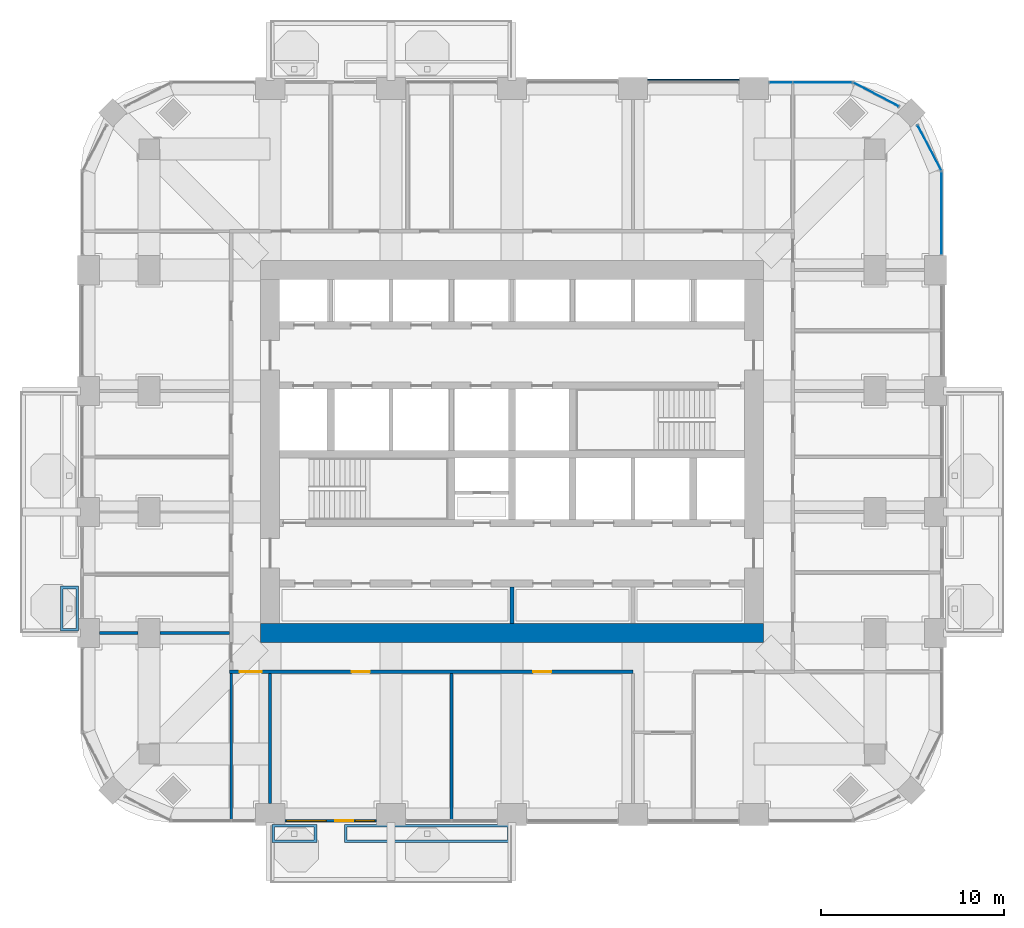
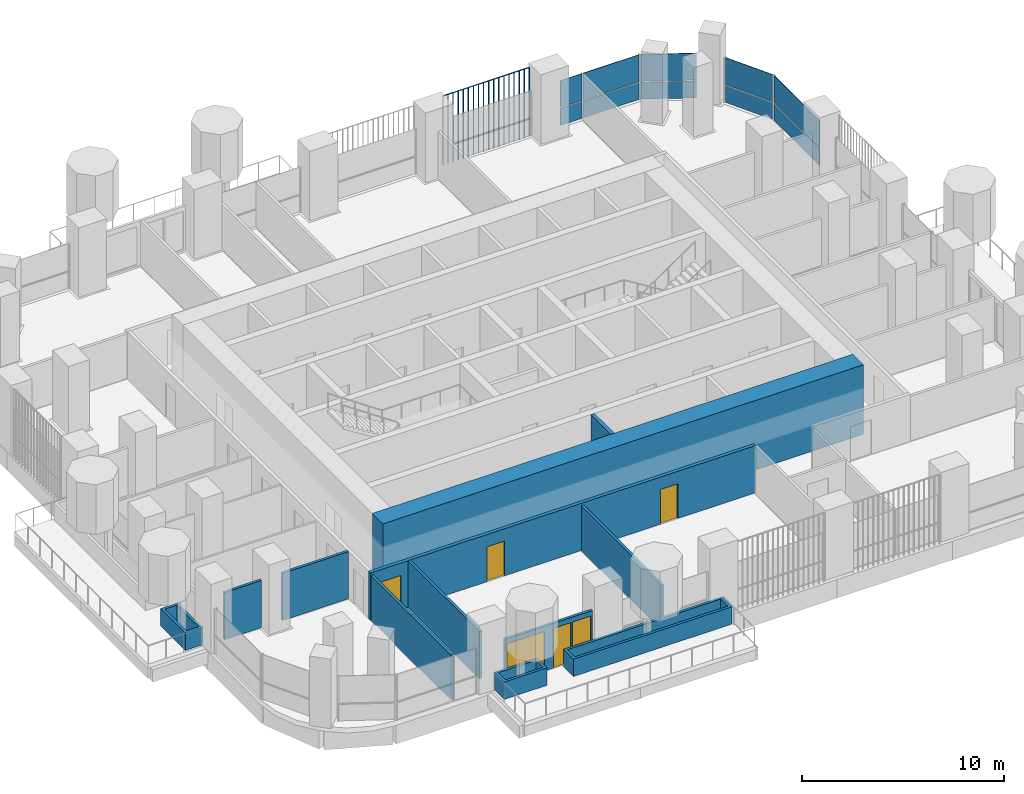
# One storey, part 11 of 20: 12 walls, 11 plates, 4 doors, 2 windows, 6 openings, 4 elements without a shape of their own.
"""IFC4 building model written with IfcOpenShell, lengths in metres."""

from ifc_helpers import new_model, si_unit, direction, frame, frame_2d, origin, origin_2d, place, context, subcontext, project, spatial, polyline, rectangle, outline, extrude, material, layer, layer_set, type_object, element, fill, aggregate, save


model = new_model("IFC4")

# Units and contexts
model_context = context("Model", 3, precision=1e-05, world=origin(), true_north=direction((0.0, 1.0)))
body_context = subcontext(model_context, "Body", "Model", "MODEL_VIEW")
ifc_project = project(units=[si_unit("LENGTHUNIT", "METRE"), si_unit("AREAUNIT", "SQUARE_METRE"), si_unit("VOLUMEUNIT", "CUBIC_METRE"), si_unit("PLANEANGLEUNIT", "RADIAN"), si_unit("MASSUNIT", "GRAM", prefix="KILO")], contexts=[model_context])

# Site, building, storey
site_placement = place(None, origin())
site = spatial("IfcSite", under=ifc_project, at=site_placement, CompositionType="ELEMENT")
building_placement = place(site_placement, origin())
building = spatial("IfcBuilding", under=site, at=building_placement, Name="Cobogo Forest Laboratory Tower", CompositionType="ELEMENT")
storey_placement = place(building_placement, frame((0.0, 0.0, 176.699951171875)))
storey = spatial("IfcBuildingStorey", under=building, at=storey_placement, Name="L40", CompositionType="ELEMENT", Elevation=176.699951171875)

# Curtain wall, plates
ifc_material_1 = material(Name="Aluminium curtain wall", Category="aluminium")
curtain_wall_type = type_object("IfcCurtainWallType", Name="CW-2 unitised curtain wall, solar control glazing, laboratory floors zones C and D", PredefinedType="USERDEFINED", material=ifc_material_1)
curtain_wall_1_placement = place(storey_placement, origin())
curtain_wall_1 = element("IfcCurtainWall", 1, at=curtain_wall_1_placement, inside=storey, type_object=curtain_wall_type, Name="Curtain wall 13 L40", ObjectType="UNITISED CURTAIN WALL", PredefinedType="USERDEFINED")
ifc_material_2 = material(Name="Solar control insulated glass", Category="glass")
ifc_layer_1 = layer(ifc_material_2, 0.031982421875)
ifc_layer_set_1 = layer_set([ifc_layer_1], Name="GP-2 solar control glass unit 32")
plate_type_1 = type_object("IfcPlateType", Name="GP-2 solar control glass unit 32", PredefinedType="CURTAIN_PANEL", material=ifc_layer_set_1)
plate_1_placement = place(storey_placement, frame((49.85009765625, 36.10009765625, 0.0), z_axis=(0.0, 0.0, 1.0), x_axis=(0.0, 1.0, 0.0)))
plate_1 = element("IfcPlate", 2, at=plate_1_placement, type_object=plate_type_1, Name="CW-2 panel 1.1", PredefinedType="CURTAIN_PANEL", context=body_context, shape_type="SweptSolid", body=[
    extrude(rectangle(XDim=4.47998046875, YDim=0.031982421875, at=origin_2d()), origin(), (0.0, 0.0, 1.0), 1.02001953125),
])
plate_2_placement = place(storey_placement, frame((49.85009765625, 36.10009765625, 1.080078125), z_axis=(0.0, 0.0, 1.0), x_axis=(0.0, 1.0, 0.0)))
plate_2 = element("IfcPlate", 3, at=plate_2_placement, type_object=plate_type_1, Name="CW-2 panel 1.2", PredefinedType="CURTAIN_PANEL", context=body_context, shape_type="SweptSolid", body=[
    extrude(rectangle(XDim=4.47998046875, YDim=0.031982421875, at=origin_2d()), origin(), (0.0, 0.0, 1.0), 1.6201171875),
])
aggregate(curtain_wall_1, [plate_1, plate_2])

curtain_wall_2_placement = place(storey_placement, origin())
curtain_wall_2 = element("IfcCurtainWall", 4, at=curtain_wall_2_placement, inside=storey, type_object=curtain_wall_type, Name="Curtain wall 14 L40", ObjectType="UNITISED CURTAIN WALL", PredefinedType="USERDEFINED")
plate_3_placement = place(storey_placement, frame((49.181396484375, 39.675537109375, 0.0), z_axis=(0.0, 0.0, 1.0), x_axis=(-0.464283804832, 0.885686484356, 0.0)))
plate_3 = element("IfcPlate", 5, at=plate_3_placement, type_object=plate_type_1, Name="CW-2 panel 1.1", PredefinedType="CURTAIN_PANEL", context=body_context, shape_type="SweptSolid", body=[
    extrude(rectangle(XDim=2.76025390625, YDim=0.031982421875, at=origin_2d()), origin(), (0.0, 0.0, 1.0), 1.02001953125),
])
plate_4_placement = place(storey_placement, frame((49.181396484375, 39.675537109375, 1.080078125), z_axis=(0.0, 0.0, 1.0), x_axis=(-0.464283804832, 0.885686484356, 0.0)))
plate_4 = element("IfcPlate", 6, at=plate_4_placement, type_object=plate_type_1, Name="CW-2 panel 1.2", PredefinedType="CURTAIN_PANEL", context=body_context, shape_type="SweptSolid", body=[
    extrude(rectangle(XDim=2.76025390625, YDim=0.031982421875, at=origin_2d()), origin(), (0.0, 0.0, 1.0), 1.6201171875),
])
aggregate(curtain_wall_2, [plate_3, plate_4])

curtain_wall_3_placement = place(storey_placement, origin())
curtain_wall_3 = element("IfcCurtainWall", 7, at=curtain_wall_3_placement, inside=storey, type_object=curtain_wall_type, Name="Curtain wall 15 L40", ObjectType="UNITISED CURTAIN WALL", PredefinedType="USERDEFINED")
plate_5_placement = place(storey_placement, frame((46.275634765625, 42.581298828125, 0.0), z_axis=(0.0, 0.0, 1.0), x_axis=(-0.885686484356, 0.464283804832, 0.0)))
plate_5 = element("IfcPlate", 8, at=plate_5_placement, type_object=plate_type_1, Name="CW-2 panel 1.1", PredefinedType="CURTAIN_PANEL", context=body_context, shape_type="SweptSolid", body=[
    extrude(rectangle(XDim=2.76025390625, YDim=0.031982421875, at=origin_2d()), origin(), (0.0, 0.0, 1.0), 1.02001953125),
])
plate_6_placement = place(storey_placement, frame((46.275634765625, 42.581298828125, 1.080078125), z_axis=(0.0, 0.0, 1.0), x_axis=(-0.885686484356, 0.464283804832, 0.0)))
plate_6 = element("IfcPlate", 9, at=plate_6_placement, type_object=plate_type_1, Name="CW-2 panel 1.2", PredefinedType="CURTAIN_PANEL", context=body_context, shape_type="SweptSolid", body=[
    extrude(rectangle(XDim=2.76025390625, YDim=0.031982421875, at=origin_2d()), origin(), (0.0, 0.0, 1.0), 1.6201171875),
])
aggregate(curtain_wall_3, [plate_5, plate_6])

curtain_wall_4_placement = place(storey_placement, origin())
curtain_wall_4 = element("IfcCurtainWall", 10, at=curtain_wall_4_placement, inside=storey, type_object=curtain_wall_type, Name="Curtain wall 16 L40", ObjectType="UNITISED CURTAIN WALL", PredefinedType="USERDEFINED")
plate_7_placement = place(storey_placement, frame((43.347412109375, 43.25, 0.0), z_axis=(0.0, 0.0, 1.0), x_axis=(-1.0, 0.0, 0.0)))
plate_7 = element("IfcPlate", 11, at=plate_7_placement, type_object=plate_type_1, Name="CW-2 panel 1.1", PredefinedType="CURTAIN_PANEL", context=body_context, shape_type="SweptSolid", body=[
    extrude(rectangle(XDim=3.18505859375, YDim=0.031982421875, at=origin_2d()), origin(), (0.0, 0.0, 1.0), 1.02001953125),
])
plate_8_placement = place(storey_placement, frame((43.347412109375, 43.25, 1.080078125), z_axis=(0.0, 0.0, 1.0), x_axis=(-1.0, 0.0, 0.0)))
plate_8 = element("IfcPlate", 12, at=plate_8_placement, type_object=plate_type_1, Name="CW-2 panel 1.2", PredefinedType="CURTAIN_PANEL", context=body_context, shape_type="SweptSolid", body=[
    extrude(rectangle(XDim=3.18505859375, YDim=0.031982421875, at=origin_2d()), origin(), (0.0, 0.0, 1.0), 1.6201171875),
])
plate_9_placement = place(storey_placement, frame((41.077392578125, 43.25, 0.0), z_axis=(0.0, 0.0, 1.0), x_axis=(-1.0, 0.0, 0.0)))
plate_9 = element("IfcPlate", 13, at=plate_9_placement, type_object=plate_type_1, Name="CW-2 panel 2.1", PredefinedType="CURTAIN_PANEL", context=body_context, shape_type="SweptSolid", body=[
    extrude(rectangle(XDim=1.235107421875, YDim=0.031982421875, at=origin_2d()), origin(), (0.0, 0.0, 1.0), 1.02001953125),
])
plate_10_placement = place(storey_placement, frame((41.077392578125, 43.25, 1.080078125), z_axis=(0.0, 0.0, 1.0), x_axis=(-1.0, 0.0, 0.0)))
plate_10 = element("IfcPlate", 14, at=plate_10_placement, type_object=plate_type_1, Name="CW-2 panel 2.2", PredefinedType="CURTAIN_PANEL", context=body_context, shape_type="SweptSolid", body=[
    extrude(rectangle(XDim=1.235107421875, YDim=0.031982421875, at=origin_2d()), origin(), (0.0, 0.0, 1.0), 1.6201171875),
])
aggregate(curtain_wall_4, [plate_7, plate_8, plate_9, plate_10])

# Plate
ifc_material_3 = material(Name="Terracotta", Category="masonry")
plate_type_2 = type_object("IfcPlateType", Name="TB1 terracotta baguette screen", PredefinedType="USERDEFINED", material=ifc_material_3)
plate_11_placement = place(storey_placement, frame((33.831298828125, 43.3779296875, -0.14990234375)))
element("IfcPlate", 15, at=plate_11_placement, inside=storey, type_object=plate_type_2, Name="Baguette screen N4 L40", ObjectType="BAGUETTE SCREEN", PredefinedType="USERDEFINED", context=body_context, shape_type="SweptSolid", body=[
    extrude(outline(polyline([(0.02880859375, 0.011962890625), (0.011962890625, 0.02880859375), (-0.011962890625, 0.02880859375), (-0.02880859375, 0.011962890625), (-0.02880859375, -0.011962890625), (-0.011962890625, -0.02880859375), (0.011962890625, -0.02880859375), (0.02880859375, -0.011962890625), (0.02880859375, 0.011962890625)])), frame((0.0, 0.0, 4.168701171875), z_axis=(1.0, 0.0, 0.0), x_axis=(0.0, 1.0, 0.0)), (0.0, 0.0, 1.0), 4.9375),
    extrude(outline(polyline([(0.02880859375, 0.011962890625), (0.011962890625, 0.02880859375), (-0.011962890625, 0.02880859375), (-0.02880859375, 0.011962890625), (-0.02880859375, -0.011962890625), (-0.011962890625, -0.02880859375), (0.011962890625, -0.02880859375), (0.02880859375, -0.011962890625), (0.02880859375, 0.011962890625)])), origin(), (0.0, 0.0, 1.0), 4.137451171875),
    extrude(outline(polyline([(0.02880859375, 0.011962890625), (0.011962890625, 0.02880859375), (-0.011962890625, 0.02880859375), (-0.02880859375, 0.011962890625), (-0.02880859375, -0.011962890625), (-0.011962890625, -0.02880859375), (0.011962890625, -0.02880859375), (0.02880859375, -0.011962890625), (0.02880859375, 0.011962890625)])), frame((0.29052734375, 0.0, 0.0)), (0.0, 0.0, 1.0), 4.137451171875),
    extrude(outline(polyline([(0.02880859375, 0.011962890625), (0.011962890625, 0.02880859375), (-0.011962890625, 0.02880859375), (-0.02880859375, 0.011962890625), (-0.02880859375, -0.011962890625), (-0.011962890625, -0.02880859375), (0.011962890625, -0.02880859375), (0.02880859375, -0.011962890625), (0.02880859375, 0.011962890625)])), frame((0.580810546875, 0.0, 0.0)), (0.0, 0.0, 1.0), 4.137451171875),
    extrude(outline(polyline([(0.02880859375, 0.011962890625), (0.011962890625, 0.02880859375), (-0.011962890625, 0.02880859375), (-0.02880859375, 0.011962890625), (-0.02880859375, -0.011962890625), (-0.011962890625, -0.02880859375), (0.011962890625, -0.02880859375), (0.02880859375, -0.011962890625), (0.02880859375, 0.011962890625)])), frame((0.871337890625, 0.0, 0.0)), (0.0, 0.0, 1.0), 4.137451171875),
    extrude(outline(polyline([(0.02880859375, 0.011962890625), (0.011962890625, 0.02880859375), (-0.011962890625, 0.02880859375), (-0.02880859375, 0.011962890625), (-0.02880859375, -0.011962890625), (-0.011962890625, -0.02880859375), (0.011962890625, -0.02880859375), (0.02880859375, -0.011962890625), (0.02880859375, 0.011962890625)])), frame((1.161865234375, 0.0, 0.0)), (0.0, 0.0, 1.0), 4.137451171875),
    extrude(outline(polyline([(0.02880859375, 0.011962890625), (0.011962890625, 0.02880859375), (-0.011962890625, 0.02880859375), (-0.02880859375, 0.011962890625), (-0.02880859375, -0.011962890625), (-0.011962890625, -0.02880859375), (0.011962890625, -0.02880859375), (0.02880859375, -0.011962890625), (0.02880859375, 0.011962890625)])), frame((1.4521484375, 0.0, 0.0)), (0.0, 0.0, 1.0), 4.137451171875),
    extrude(outline(polyline([(0.02880859375, 0.011962890625), (0.011962890625, 0.02880859375), (-0.011962890625, 0.02880859375), (-0.02880859375, 0.011962890625), (-0.02880859375, -0.011962890625), (-0.011962890625, -0.02880859375), (0.011962890625, -0.02880859375), (0.02880859375, -0.011962890625), (0.02880859375, 0.011962890625)])), frame((1.74267578125, 0.0, 0.0)), (0.0, 0.0, 1.0), 4.137451171875),
    extrude(outline(polyline([(0.02880859375, 0.011962890625), (0.011962890625, 0.02880859375), (-0.011962890625, 0.02880859375), (-0.02880859375, 0.011962890625), (-0.02880859375, -0.011962890625), (-0.011962890625, -0.02880859375), (0.011962890625, -0.02880859375), (0.02880859375, -0.011962890625), (0.02880859375, 0.011962890625)])), frame((2.033203125, 0.0, 0.0)), (0.0, 0.0, 1.0), 4.137451171875),
    extrude(outline(polyline([(0.02880859375, 0.011962890625), (0.011962890625, 0.02880859375), (-0.011962890625, 0.02880859375), (-0.02880859375, 0.011962890625), (-0.02880859375, -0.011962890625), (-0.011962890625, -0.02880859375), (0.011962890625, -0.02880859375), (0.02880859375, -0.011962890625), (0.02880859375, 0.011962890625)])), frame((2.323486328125, 0.0, 0.0)), (0.0, 0.0, 1.0), 4.137451171875),
    extrude(outline(polyline([(0.02880859375, 0.011962890625), (0.011962890625, 0.02880859375), (-0.011962890625, 0.02880859375), (-0.02880859375, 0.011962890625), (-0.02880859375, -0.011962890625), (-0.011962890625, -0.02880859375), (0.011962890625, -0.02880859375), (0.02880859375, -0.011962890625), (0.02880859375, 0.011962890625)])), frame((2.614013671875, 0.0, 0.0)), (0.0, 0.0, 1.0), 4.137451171875),
    extrude(outline(polyline([(0.02880859375, 0.011962890625), (0.011962890625, 0.02880859375), (-0.011962890625, 0.02880859375), (-0.02880859375, 0.011962890625), (-0.02880859375, -0.011962890625), (-0.011962890625, -0.02880859375), (0.011962890625, -0.02880859375), (0.02880859375, -0.011962890625), (0.02880859375, 0.011962890625)])), frame((2.904296875, 0.0, 0.0)), (0.0, 0.0, 1.0), 4.137451171875),
    extrude(outline(polyline([(0.02880859375, 0.011962890625), (0.011962890625, 0.02880859375), (-0.011962890625, 0.02880859375), (-0.02880859375, 0.011962890625), (-0.02880859375, -0.011962890625), (-0.011962890625, -0.02880859375), (0.011962890625, -0.02880859375), (0.02880859375, -0.011962890625), (0.02880859375, 0.011962890625)])), frame((3.19482421875, 0.0, 0.0)), (0.0, 0.0, 1.0), 4.137451171875),
    extrude(outline(polyline([(0.02880859375, 0.011962890625), (0.011962890625, 0.02880859375), (-0.011962890625, 0.02880859375), (-0.02880859375, 0.011962890625), (-0.02880859375, -0.011962890625), (-0.011962890625, -0.02880859375), (0.011962890625, -0.02880859375), (0.02880859375, -0.011962890625), (0.02880859375, 0.011962890625)])), frame((3.4853515625, 0.0, 0.0)), (0.0, 0.0, 1.0), 4.137451171875),
    extrude(outline(polyline([(0.02880859375, 0.011962890625), (0.011962890625, 0.02880859375), (-0.011962890625, 0.02880859375), (-0.02880859375, 0.011962890625), (-0.02880859375, -0.011962890625), (-0.011962890625, -0.02880859375), (0.011962890625, -0.02880859375), (0.02880859375, -0.011962890625), (0.02880859375, 0.011962890625)])), frame((3.775634765625, 0.0, 0.0)), (0.0, 0.0, 1.0), 4.137451171875),
    extrude(outline(polyline([(0.02880859375, 0.011962890625), (0.011962890625, 0.02880859375), (-0.011962890625, 0.02880859375), (-0.02880859375, 0.011962890625), (-0.02880859375, -0.011962890625), (-0.011962890625, -0.02880859375), (0.011962890625, -0.02880859375), (0.02880859375, -0.011962890625), (0.02880859375, 0.011962890625)])), frame((4.066162109375, 0.0, 0.0)), (0.0, 0.0, 1.0), 4.137451171875),
    extrude(outline(polyline([(0.02880859375, 0.011962890625), (0.011962890625, 0.02880859375), (-0.011962890625, 0.02880859375), (-0.02880859375, 0.011962890625), (-0.02880859375, -0.011962890625), (-0.011962890625, -0.02880859375), (0.011962890625, -0.02880859375), (0.02880859375, -0.011962890625), (0.02880859375, 0.011962890625)])), frame((4.356689453125, 0.0, 0.0)), (0.0, 0.0, 1.0), 4.137451171875),
    extrude(outline(polyline([(0.02880859375, 0.011962890625), (0.011962890625, 0.02880859375), (-0.011962890625, 0.02880859375), (-0.02880859375, 0.011962890625), (-0.02880859375, -0.011962890625), (-0.011962890625, -0.02880859375), (0.011962890625, -0.02880859375), (0.02880859375, -0.011962890625), (0.02880859375, 0.011962890625)])), frame((4.64697265625, 0.0, 0.0)), (0.0, 0.0, 1.0), 4.137451171875),
    extrude(outline(polyline([(0.02880859375, 0.011962890625), (0.011962890625, 0.02880859375), (-0.011962890625, 0.02880859375), (-0.02880859375, 0.011962890625), (-0.02880859375, -0.011962890625), (-0.011962890625, -0.02880859375), (0.011962890625, -0.02880859375), (0.02880859375, -0.011962890625), (0.02880859375, 0.011962890625)])), frame((4.9375, 0.0, 0.0)), (0.0, 0.0, 1.0), 4.137451171875),
])

# Wall
ifc_material_4 = material(Name="Concrete HA-50 (C50/60)", Category="concrete")
ifc_layer_2 = layer(ifc_material_4, 1.050048828125)
ifc_layer_set_2 = layer_set([ifc_layer_2], Name="CW1050 core outer wall 1050")
wall_type_1 = type_object("IfcWallType", Name="CW1050 core outer wall 1050", PredefinedType="SHEAR", material=ifc_layer_set_2)
wall_1_placement = place(storey_placement, frame((12.675048828125, 13.199951171875, 0.0), z_axis=(0.0, 0.0, 1.0), x_axis=(1.0, 0.0, 0.0)))
element("IfcWall", 16, at=wall_1_placement, inside=storey, type_object=wall_type_1, Name="Core wall CO-S L40", PredefinedType="SHEAR", context=body_context, shape_type="SweptSolid", body=[
    extrude(rectangle(XDim=27.449951171875, YDim=1.050048828125, at=frame_2d((13.72509765625, 0.0))), origin(), (0.0, 0.0, 1.0), 4.199951171875),
])

# Wall, openings, door, windows
ifc_material_5 = material(Name="Aluminium framed glazed screen", Category="aluminium")
ifc_layer_3 = layer(ifc_material_5, 0.14990234375)
ifc_layer_set_3 = layer_set([ifc_layer_3], Name="GS1 glazed door screen 150")
wall_type_2 = type_object("IfcWallType", Name="GS1 glazed door screen 150", PredefinedType="SOLIDWALL", material=ifc_layer_set_3)
wall_2_placement = place(storey_placement, frame((14.0, 2.949951171875, 0.0), z_axis=(0.0, 0.0, 1.0), x_axis=(1.0, 0.0, 0.0)))
wall_2 = element("IfcWall", 17, at=wall_2_placement, inside=storey, type_object=wall_type_2, Name="Door screen BAL-S1 L40", PredefinedType="SOLIDWALL", context=body_context, shape_type="SweptSolid", body=[
    extrude(rectangle(XDim=5.0, YDim=0.14990234375, at=frame_2d((2.5, 0.0))), origin(), (0.0, 0.0, 1.0), 2.699951171875),
])
opening_1_placement = place(wall_2_placement, frame((2.75, 0.0, 0.0)))
opening_1 = element("IfcOpeningElement", 18, at=opening_1_placement, cuts=wall_2, Name="Opening L40-D01", PredefinedType="OPENING", context=body_context, shape_type="SweptSolid", body=[
    extrude(rectangle(XDim=1.0, YDim=2.39990234375, at=frame_2d((0.5, 1.199951171875))), frame((0.0, 0.0849609375, 0.0), z_axis=(0.0, -1.0, 0.0), x_axis=(1.0, 0.0, 0.0)), (0.0, 0.0, 1.0), 0.169921875),
])
opening_2_placement = place(wall_2_placement, frame((0.10009765625, 0.0, 0.10009765625)))
opening_2 = element("IfcOpeningElement", 19, at=opening_2_placement, cuts=wall_2, Name="Opening L40-W01", PredefinedType="OPENING", context=body_context, shape_type="SweptSolid", body=[
    extrude(rectangle(XDim=2.14990234375, YDim=2.300048828125, at=frame_2d((1.074951171875, 1.14990234375))), frame((0.0, 0.0849609375, 0.0), z_axis=(0.0, -1.0, 0.0), x_axis=(1.0, 0.0, 0.0)), (0.0, 0.0, 1.0), 0.169921875),
])
opening_3_placement = place(wall_2_placement, frame((3.85009765625, 0.0, 0.10009765625)))
opening_3 = element("IfcOpeningElement", 20, at=opening_3_placement, cuts=wall_2, Name="Opening L40-W02", PredefinedType="OPENING", context=body_context, shape_type="SweptSolid", body=[
    extrude(rectangle(XDim=1.050048828125, YDim=2.300048828125, at=frame_2d((0.52490234375, 1.14990234375))), frame((0.0, 0.0849609375, 0.0), z_axis=(0.0, -1.0, 0.0), x_axis=(1.0, 0.0, 0.0)), (0.0, 0.0, 1.0), 0.169921875),
])
ifc_material_6 = material(Name="Aluminium glazed door", Category="aluminium")
door_type_1 = type_object("IfcDoorType", Name="DB1 balcony door 1000 glazed", OperationType="SINGLE_SWING_LEFT", PredefinedType="DOOR", material=ifc_material_6)
door_1_placement = place(opening_1_placement, origin())
door_1 = element("IfcDoor", 21, at=door_1_placement, inside=storey, type_object=door_type_1, Name="Door L40-BAL-S1", OperationType="SINGLE_SWING_RIGHT", OverallHeight=2.39990234375, OverallWidth=1.0, PredefinedType="DOOR", context=body_context, shape_type="SweptSolid", body=[
    extrude(rectangle(XDim=1.0, YDim=2.39990234375, at=frame_2d((0.5, 1.199951171875))), frame((0.0, 0.02490234375, 0.0), z_axis=(0.0, -1.0, 0.0), x_axis=(1.0, 0.0, 0.0)), (0.0, 0.0, 1.0), 0.050048828125),
])
fill(opening_1, door_1)
ifc_material_7 = material(Name="Aluminium framed glazing", Category="aluminium")
window_type_1 = type_object("IfcWindowType", Name="WG13 fixed glazed light 2150x2300", PartitioningType="SINGLE_PANEL", PredefinedType="WINDOW", material=ifc_material_7)
window_1_placement = place(opening_2_placement, origin())
window_1 = element("IfcWindow", 22, at=window_1_placement, inside=storey, type_object=window_type_1, Name="Window L40-BAL-S1-1", OverallHeight=2.300048828125, OverallWidth=2.14990234375, PartitioningType="SINGLE_PANEL", PredefinedType="WINDOW", context=body_context, shape_type="SweptSolid", body=[
    extrude(rectangle(XDim=2.14990234375, YDim=2.300048828125, at=frame_2d((1.074951171875, 1.14990234375))), frame((0.0, 0.030029296875, 0.0), z_axis=(0.0, -1.0, 0.0), x_axis=(1.0, 0.0, 0.0)), (0.0, 0.0, 1.0), 0.06005859375),
])
fill(opening_2, window_1)
window_type_2 = type_object("IfcWindowType", Name="WG14 fixed glazed light 1050x2300", PartitioningType="SINGLE_PANEL", PredefinedType="WINDOW", material=ifc_material_7)
window_2_placement = place(opening_3_placement, origin())
window_2 = element("IfcWindow", 23, at=window_2_placement, inside=storey, type_object=window_type_2, Name="Window L40-BAL-S1-2", OverallHeight=2.300048828125, OverallWidth=1.050048828125, PartitioningType="SINGLE_PANEL", PredefinedType="WINDOW", context=body_context, shape_type="SweptSolid", body=[
    extrude(rectangle(XDim=1.050048828125, YDim=2.300048828125, at=frame_2d((0.52490234375, 1.14990234375))), frame((0.0, 0.030029296875, 0.0), z_axis=(0.0, -1.0, 0.0), x_axis=(1.0, 0.0, 0.0)), (0.0, 0.0, 1.0), 0.06005859375),
])
fill(opening_3, window_2)

# Walls
ifc_material_8 = material(Name="Gypsum board on steel studs", Category="steel")
ifc_layer_4 = layer(ifc_material_8, 0.14990234375)
ifc_layer_set_4 = layer_set([ifc_layer_4], Name="PT1 laboratory partition 150")
wall_type_3 = type_object("IfcWallType", Name="PT1 laboratory partition 150", PredefinedType="PARTITIONING", material=ifc_layer_set_4)
wall_3_placement = place(storey_placement, frame((11.074951171875, 3.030029296875, 0.0), z_axis=(0.0, 0.0, 1.0), x_axis=(0.0, 1.0, 0.0)))
element("IfcWall", 24, at=wall_3_placement, inside=storey, type_object=wall_type_3, Name="Partition PW-SW L40", PredefinedType="PARTITIONING", context=body_context, shape_type="SweptSolid", body=[
    extrude(rectangle(XDim=7.945068359375, YDim=0.14990234375, at=frame_2d((3.97265625, 0.0))), origin(), (0.0, 0.0, 1.0), 2.699951171875),
])
wall_4_placement = place(storey_placement, frame((13.199951171875, 3.89990234375, 0.0), z_axis=(0.0, 0.0, 1.0), x_axis=(0.0, 1.0, 0.0)))
element("IfcWall", 25, at=wall_4_placement, inside=storey, type_object=wall_type_3, Name="Partition CUT-S13.2-1 L40", PredefinedType="PARTITIONING", context=body_context, shape_type="SweptSolid", body=[
    extrude(rectangle(XDim=7.0751953125, YDim=0.14990234375, at=frame_2d((3.53759765625, 0.0))), origin(), (0.0, 0.0, 1.0), 2.85009765625),
])
wall_5_placement = place(storey_placement, frame((23.10009765625, 3.030029296875, 0.0), z_axis=(0.0, 0.0, 1.0), x_axis=(0.0, 1.0, 0.0)))
element("IfcWall", 26, at=wall_5_placement, inside=storey, type_object=wall_type_3, Name="Partition CUT-S23.1-1 L40", PredefinedType="PARTITIONING", context=body_context, shape_type="SweptSolid", body=[
    extrude(rectangle(XDim=7.945068359375, YDim=0.14990234375, at=frame_2d((3.97265625, 0.0))), origin(), (0.0, 0.0, 1.0), 2.699951171875),
])
wall_6_placement = place(storey_placement, frame((3.89990234375, 13.199951171875, 0.0), z_axis=(0.0, 0.0, 1.0), x_axis=(1.0, 0.0, 0.0)))
element("IfcWall", 27, at=wall_6_placement, inside=storey, type_object=wall_type_3, Name="Partition CUT-W13.2-1 L40", PredefinedType="PARTITIONING", context=body_context, shape_type="SweptSolid", body=[
    extrude(rectangle(XDim=2.10009765625, YDim=0.14990234375, at=frame_2d((1.050048828125, 0.0))), origin(), (0.0, 0.0, 1.0), 2.85009765625),
])
wall_7_placement = place(storey_placement, frame((7.199951171875, 13.199951171875, 0.0), z_axis=(0.0, 0.0, 1.0), x_axis=(1.0, 0.0, 0.0)))
element("IfcWall", 28, at=wall_7_placement, inside=storey, type_object=wall_type_3, Name="Partition CUT-W13.2-2 L40", PredefinedType="PARTITIONING", context=body_context, shape_type="SweptSolid", body=[
    extrude(rectangle(XDim=3.775146484375, YDim=0.14990234375, at=frame_2d((1.8876953125, 0.0))), origin(), (0.0, 0.0, 1.0), 2.85009765625),
])

# Wall, openings, doors
ifc_layer_5 = layer(ifc_material_8, 0.199951171875)
ifc_layer_set_5 = layer_set([ifc_layer_5], Name="PT2 fire-rated corridor partition 200")
wall_type_4 = type_object("IfcWallType", Name="PT2 fire-rated corridor partition 200", PredefinedType="PARTITIONING", material=ifc_layer_set_5)
wall_8_placement = place(storey_placement, frame((10.97509765625, 11.074951171875, 0.0), z_axis=(0.0, 0.0, 1.0), x_axis=(1.0, 0.0, 0.0)))
wall_8 = element("IfcWall", 29, at=wall_8_placement, inside=storey, type_object=wall_type_4, Name="Partition CORR-S-1 L40", PredefinedType="PARTITIONING", context=body_context, shape_type="SweptSolid", body=[
    extrude(rectangle(XDim=22.02490234375, YDim=0.199951171875, at=frame_2d((11.012451171875, 0.0))), origin(), (0.0, 0.0, 1.0), 2.85009765625),
])
opening_4_placement = place(wall_8_placement, frame((0.5625, 0.0, 0.0)))
opening_4 = element("IfcOpeningElement", 30, at=opening_4_placement, cuts=wall_8, Name="Opening L40-D03", PredefinedType="OPENING", context=body_context, shape_type="SweptSolid", body=[
    extrude(rectangle(XDim=1.199951171875, YDim=2.10009765625, at=frame_2d((0.60009765625, 1.050048828125))), frame((0.0, 0.10986328125, 0.0), z_axis=(0.0, -1.0, 0.0), x_axis=(1.0, 0.0, 0.0)), (0.0, 0.0, 1.0), 0.219970703125),
])
opening_5_placement = place(wall_8_placement, frame((6.675048828125, 0.0, 0.0)))
opening_5 = element("IfcOpeningElement", 31, at=opening_5_placement, cuts=wall_8, Name="Opening L40-D04", PredefinedType="OPENING", context=body_context, shape_type="SweptSolid", body=[
    extrude(rectangle(XDim=1.0, YDim=2.10009765625, at=frame_2d((0.5, 1.050048828125))), frame((0.0, 0.10986328125, 0.0), z_axis=(0.0, -1.0, 0.0), x_axis=(1.0, 0.0, 0.0)), (0.0, 0.0, 1.0), 0.219970703125),
])
opening_6_placement = place(wall_8_placement, frame((16.574951171875, 0.0, 0.0)))
opening_6 = element("IfcOpeningElement", 32, at=opening_6_placement, cuts=wall_8, Name="Opening L40-D05", PredefinedType="OPENING", context=body_context, shape_type="SweptSolid", body=[
    extrude(rectangle(XDim=1.0, YDim=2.10009765625, at=frame_2d((0.5, 1.050048828125))), frame((0.0, 0.10986328125, 0.0), z_axis=(0.0, -1.0, 0.0), x_axis=(1.0, 0.0, 0.0)), (0.0, 0.0, 1.0), 0.219970703125),
])
ifc_material_9 = material(Name="Timber door", Category="wood")
door_type_2 = type_object("IfcDoorType", Name="D2 laboratory door 1200 unequal pair", OperationType="DOUBLE_DOOR_SINGLE_SWING", PredefinedType="DOOR", material=ifc_material_9)
door_2_placement = place(opening_4_placement, origin())
door_2 = element("IfcDoor", 33, at=door_2_placement, inside=storey, type_object=door_type_2, Name="Door L40-S1", OperationType="DOUBLE_DOOR_SINGLE_SWING", OverallHeight=2.10009765625, OverallWidth=1.199951171875, PredefinedType="DOOR", context=body_context, shape_type="SweptSolid", body=[
    extrude(rectangle(XDim=1.199951171875, YDim=2.10009765625, at=frame_2d((0.60009765625, 1.050048828125))), frame((0.0, 0.02490234375, 0.0), z_axis=(0.0, -1.0, 0.0), x_axis=(1.0, 0.0, 0.0)), (0.0, 0.0, 1.0), 0.050048828125),
])
fill(opening_4, door_2)
ifc_material_10 = material(Name="Timber fire door", Category="wood")
door_type_3 = type_object("IfcDoorType", Name="FD2 fire door 1000 EI2 30", OperationType="SINGLE_SWING_LEFT", PredefinedType="DOOR", material=ifc_material_10)
door_3_placement = place(opening_5_placement, origin())
door_3 = element("IfcDoor", 34, at=door_3_placement, inside=storey, type_object=door_type_3, Name="Door L40-S2", OperationType="SINGLE_SWING_LEFT", OverallHeight=2.10009765625, OverallWidth=1.0, PredefinedType="DOOR", context=body_context, shape_type="SweptSolid", body=[
    extrude(rectangle(XDim=1.0, YDim=2.10009765625, at=frame_2d((0.5, 1.050048828125))), frame((0.0, 0.02490234375, 0.0), z_axis=(0.0, -1.0, 0.0), x_axis=(1.0, 0.0, 0.0)), (0.0, 0.0, 1.0), 0.050048828125),
])
fill(opening_5, door_3)
door_4_placement = place(opening_6_placement, origin())
door_4 = element("IfcDoor", 35, at=door_4_placement, inside=storey, type_object=door_type_3, Name="Door L40-S3", OperationType="SINGLE_SWING_RIGHT", OverallHeight=2.10009765625, OverallWidth=1.0, PredefinedType="DOOR", context=body_context, shape_type="SweptSolid", body=[
    extrude(rectangle(XDim=1.0, YDim=2.10009765625, at=frame_2d((0.5, 1.050048828125))), frame((0.0, 0.02490234375, 0.0), z_axis=(0.0, -1.0, 0.0), x_axis=(1.0, 0.0, 0.0)), (0.0, 0.0, 1.0), 0.050048828125),
])
fill(opening_6, door_4)

# Walls
ifc_material_11 = material(Name="Concrete HA-40 (C40/50)", Category="concrete")
ifc_layer_6 = layer(ifc_material_11, 0.14990234375)
ifc_layer_set_6 = layer_set([ifc_layer_6], Name="Planter box 1000x1050")
wall_type_5 = type_object("IfcWallType", Name="Planter box 1000x1050", PredefinedType="USERDEFINED", material=ifc_layer_set_6)
wall_9_placement = place(storey_placement, origin())
element("IfcWall", 36, at=wall_9_placement, inside=storey, type_object=wall_type_5, Name="Planter BAL-S1-1 L40", ObjectType="PLANTER", PredefinedType="USERDEFINED", context=body_context, shape_type="SweptSolid", body=[
    extrude(outline(polyline([(13.300048828125, 1.75), (15.75, 1.75), (15.75, 2.75), (13.300048828125, 2.75), (13.300048828125, 1.75)]), holes=[polyline([(13.449951171875, 1.89990234375), (15.60009765625, 1.89990234375), (15.60009765625, 2.60009765625), (13.449951171875, 2.60009765625), (13.449951171875, 1.89990234375)])]), origin(), (0.0, 0.0, 1.0), 1.050048828125),
])
wall_10_placement = place(storey_placement, origin())
element("IfcWall", 37, at=wall_10_placement, inside=storey, type_object=wall_type_5, Name="Planter BAL-S1-2 L40", ObjectType="PLANTER", PredefinedType="USERDEFINED", context=body_context, shape_type="SweptSolid", body=[
    extrude(outline(polyline([(17.25, 1.75), (26.300048828125, 1.75), (26.300048828125, 2.75), (17.25, 2.75), (17.25, 1.75)]), holes=[polyline([(17.39990234375, 1.89990234375), (26.14990234375, 1.89990234375), (26.14990234375, 2.60009765625), (17.39990234375, 2.60009765625), (17.39990234375, 1.89990234375)])]), origin(), (0.0, 0.0, 1.0), 1.050048828125),
])
wall_11_placement = place(storey_placement, origin())
element("IfcWall", 38, at=wall_11_placement, inside=storey, type_object=wall_type_5, Name="Planter BAL-W1-1 L40", ObjectType="PLANTER", PredefinedType="USERDEFINED", context=body_context, shape_type="SweptSolid", body=[
    extrude(outline(polyline([(1.75, 13.300048828125), (2.75, 13.300048828125), (2.75, 15.75), (1.75, 15.75), (1.75, 13.300048828125)]), holes=[polyline([(1.89990234375, 13.449951171875), (2.60009765625, 13.449951171875), (2.60009765625, 15.60009765625), (1.89990234375, 15.60009765625), (1.89990234375, 13.449951171875)])]), origin(), (0.0, 0.0, 1.0), 1.050048828125),
])
ifc_material_12 = material(Name="Concrete block", Category="concrete")
ifc_layer_7 = layer(ifc_material_12, 0.199951171875)
ifc_layer_set_7 = layer_set([ifc_layer_7], Name="SW200 lift shaft separator 200")
wall_type_6 = type_object("IfcWallType", Name="SW200 lift shaft separator 200", PredefinedType="PARTITIONING", material=ifc_layer_set_7)
wall_12_placement = place(storey_placement, frame((26.39990234375, 13.72509765625, 0.0), z_axis=(0.0, 0.0, 1.0), x_axis=(0.0, 1.0, 0.0)))
element("IfcWall", 39, at=wall_12_placement, inside=storey, type_object=wall_type_6, Name="Core wall SEP-S4 L40", PredefinedType="PARTITIONING", context=body_context, shape_type="SweptSolid", body=[
    extrude(rectangle(XDim=1.974853515625, YDim=0.199951171875, at=frame_2d((0.9873046875, 0.0))), origin(), (0.0, 0.0, 1.0), 4.199951171875),
])

save(model, "model.ifc")
